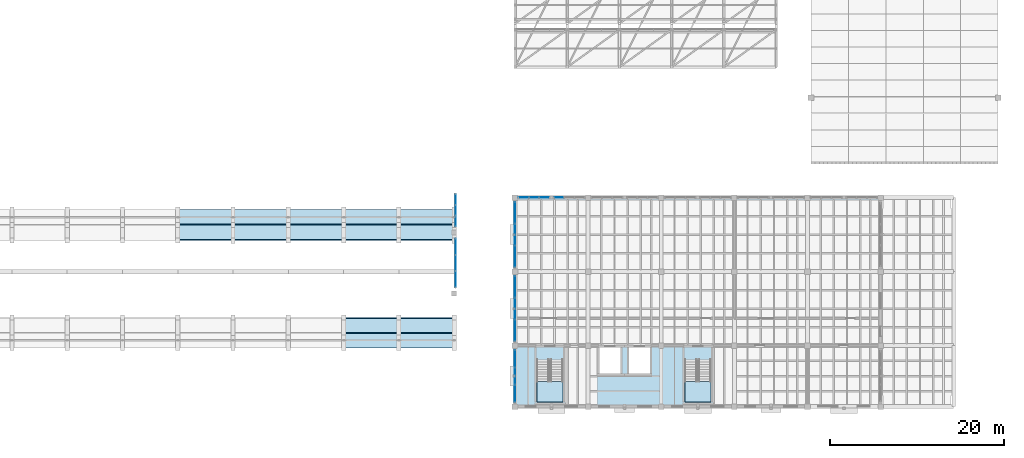
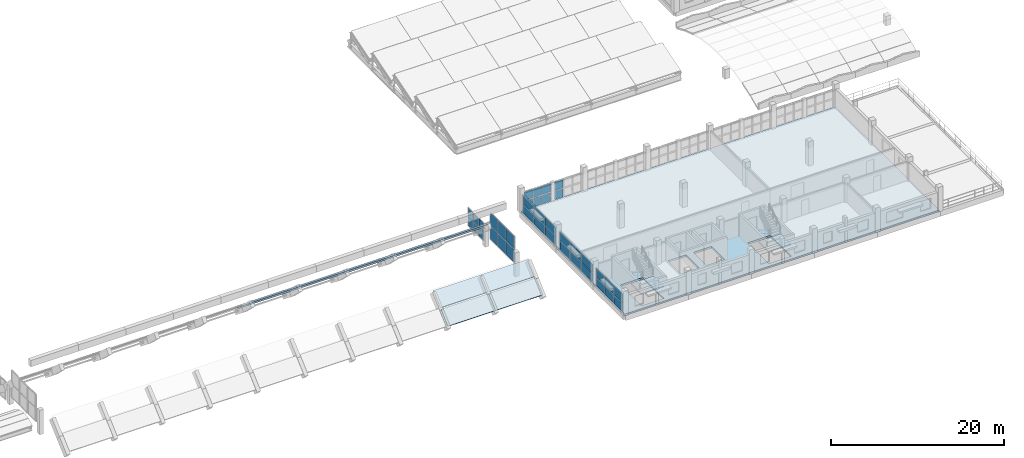
# One storey, part 25 of 48: 38 plates, 17 slabs, 9 elements without a shape of their own.
"""IFC4 building model written with IfcOpenShell, lengths in metres."""

from ifc_helpers import new_model, si_unit, direction, frame, origin, origin_2d, place, context, subcontext, project, spatial, polyline, rectangle, outline, extrude, material, layer, layer_set, type_object, element, aggregate, save


model = new_model("IFC4")

# Units and contexts
model_context = context("Model", 3, precision=1e-05, world=origin(), true_north=direction((0.0, 1.0)))
body_context = subcontext(model_context, "Body", "Model", "MODEL_VIEW")
ifc_project = project(units=[si_unit("LENGTHUNIT", "METRE"), si_unit("AREAUNIT", "SQUARE_METRE"), si_unit("VOLUMEUNIT", "CUBIC_METRE"), si_unit("PLANEANGLEUNIT", "RADIAN"), si_unit("MASSUNIT", "GRAM", prefix="KILO")], contexts=[model_context])

# Site, building, storey
site_placement = place(None, origin())
site = spatial("IfcSite", under=ifc_project, at=site_placement, CompositionType="ELEMENT")
building_placement = place(site_placement, origin())
building = spatial("IfcBuilding", under=site, at=building_placement, Name="Trellovar Central Fire Station", CompositionType="ELEMENT")
storey_placement = place(building_placement, frame((0.0, 0.0, 9.300048828125)))
storey = spatial("IfcBuildingStorey", under=building, at=storey_placement, Name="L03", CompositionType="ELEMENT", Elevation=9.300048828125)

# Curtain wall, plate
ifc_material_1 = material(Name="Thermally broken bronze anodized aluminum", Category="aluminium")
ifc_layer_1 = layer(ifc_material_1, 0.159912109375)
ifc_layer_set_1 = layer_set([ifc_layer_1], Name="Thermally broken bronze anodized aluminum")
curtain_wall_type_1 = type_object("IfcCurtainWallType", Name="CW-04", PredefinedType="NOTDEFINED", material=ifc_layer_set_1)
curtain_wall_1_placement = place(storey_placement, origin())
curtain_wall_1 = element("IfcCurtainWall", 1, at=curtain_wall_1_placement, inside=storey, type_object=curtain_wall_type_1, Name="V1 E ski-jump gable clerestory 2", PredefinedType="NOTDEFINED")
ifc_material_2 = material(Name="Double low-E solar control insulated glazing", Category="glass")
ifc_layer_2 = layer(ifc_material_2, 0.031982421875)
ifc_layer_set_2 = layer_set([ifc_layer_2], Name="Double low-E solar control insulated glazing")
plate_type_1 = type_object("IfcPlateType", Name="CWP-GL1", PredefinedType="CURTAIN_PANEL", material=ifc_layer_set_2)
plate_1_placement = place(storey_placement, frame((98.679931640625, 27.36669921875, 3.23974609375), z_axis=(0.0, 0.0, 1.0), x_axis=(0.0, 1.0, 0.0)))
plate_1 = element("IfcPlate", 2, at=plate_1_placement, type_object=plate_type_1, Name="CW3-L03-0017 panel 3-2", PredefinedType="CURTAIN_PANEL", context=body_context, shape_type="SweptSolid", body=[
    extrude(rectangle(XDim=1.78662109375, YDim=0.031982421875, at=origin_2d()), origin(), (0.0, 0.0, 1.0), 1.820068359375),
])

# Curtain wall, plates
ifc_material_3 = material(Name="Thermally broken bronze anodized aluminum", Category="aluminium")
ifc_layer_3 = layer(ifc_material_3, 0.159912109375)
ifc_layer_set_3 = layer_set([ifc_layer_3], Name="Thermally broken bronze anodized aluminum")
curtain_wall_type_2 = type_object("IfcCurtainWallType", Name="CW-08", PredefinedType="NOTDEFINED", material=ifc_layer_set_3)
curtain_wall_2_placement = place(storey_placement, origin())
curtain_wall_2 = element("IfcCurtainWall", 3, at=curtain_wall_2_placement, inside=storey, type_object=curtain_wall_type_2, Name="V1 E ski-jump gable clerestory 3", PredefinedType="NOTDEFINED")
plate_2_placement = place(storey_placement, frame((98.679931640625, 31.550048828125, 1.4150390625), z_axis=(0.0, 0.0, 1.0), x_axis=(0.0, 1.0, 0.0)))
plate_2 = element("IfcPlate", 4, at=plate_2_placement, type_object=plate_type_1, Name="CW3-L03-0018 panel 2-2", PredefinedType="CURTAIN_PANEL", context=body_context, shape_type="SweptSolid", body=[
    extrude(rectangle(XDim=1.1533203125, YDim=0.031982421875, at=origin_2d()), origin(), (0.0, 0.0, 1.0), 1.195068359375),
])
plate_3_placement = place(storey_placement, frame((98.679931640625, 32.783203125, 0.14013671875), z_axis=(0.0, 0.0, 1.0), x_axis=(0.0, 1.0, 0.0)))
plate_3 = element("IfcPlate", 5, at=plate_3_placement, type_object=plate_type_1, Name="CW3-L03-0018 panel 3-1", PredefinedType="CURTAIN_PANEL", context=body_context, shape_type="SweptSolid", body=[
    extrude(rectangle(XDim=1.1533203125, YDim=0.031982421875, at=origin_2d()), origin(), (0.0, 0.0, 1.0), 1.195068359375),
])

# Curtain wall, plate
ifc_material_4 = material(Name="Thermally broken bronze anodized aluminum", Category="aluminium")
ifc_layer_4 = layer(ifc_material_4, 0.159912109375)
ifc_layer_set_4 = layer_set([ifc_layer_4], Name="Thermally broken bronze anodized aluminum")
curtain_wall_type_3 = type_object("IfcCurtainWallType", Name="CW-10", PredefinedType="NOTDEFINED", material=ifc_layer_set_4)
curtain_wall_3_placement = place(storey_placement, origin())
curtain_wall_3 = element("IfcCurtainWall", 6, at=curtain_wall_3_placement, inside=storey, type_object=curtain_wall_type_3, Name="L03 curtain wall CW-10", PredefinedType="NOTDEFINED")
plate_4_placement = place(storey_placement, frame((106.49169921875, 33.0, 1.31494140625), z_axis=(0.0, 0.0, 1.0), x_axis=(-1.0, 0.0, 0.0)))
plate_4 = element("IfcPlate", 7, at=plate_4_placement, type_object=plate_type_1, Name="CW3-L03-0077 panel 3-2", PredefinedType="CURTAIN_PANEL", context=body_context, shape_type="SweptSolid", body=[
    extrude(rectangle(XDim=1.103271484375, YDim=0.031982421875, at=origin_2d()), origin(), (0.0, 0.0, 1.0), 1.195068359375),
])

ifc_material_5 = material(Name="Thermally broken bronze anodized aluminum", Category="aluminium")
ifc_layer_5 = layer(ifc_material_5, 0.159912109375)
ifc_layer_set_5 = layer_set([ifc_layer_5], Name="Thermally broken bronze anodized aluminum")
curtain_wall_type_4 = type_object("IfcCurtainWallType", Name="CW-12", PredefinedType="NOTDEFINED", material=ifc_layer_set_5)
curtain_wall_4_placement = place(storey_placement, origin())
curtain_wall_4 = element("IfcCurtainWall", 8, at=curtain_wall_4_placement, inside=storey, type_object=curtain_wall_type_4, Name="V5 L03 west courtyard curtain wall", PredefinedType="NOTDEFINED")
plate_5_placement = place(storey_placement, frame((105.5, 12.5, 1.31494140625), z_axis=(0.0, 0.0, 1.0), x_axis=(0.0, -1.0, 0.0)))
plate_5 = element("IfcPlate", 9, at=plate_5_placement, type_object=plate_type_1, Name="CW3-L03-0086 panel 2-2", PredefinedType="CURTAIN_PANEL", context=body_context, shape_type="SweptSolid", body=[
    extrude(rectangle(XDim=1.919921875, YDim=0.031982421875, at=origin_2d()), origin(), (0.0, 0.0, 1.0), 1.195068359375),
])

curtain_wall_5_placement = place(storey_placement, origin())
curtain_wall_5 = element("IfcCurtainWall", 10, at=curtain_wall_5_placement, inside=storey, type_object=curtain_wall_type_4, Name="V5 L03 west courtyard curtain wall", PredefinedType="NOTDEFINED")
plate_6_placement = place(storey_placement, frame((105.5, 22.75, 1.31494140625), z_axis=(0.0, 0.0, 1.0), x_axis=(0.0, -1.0, 0.0)))
plate_6 = element("IfcPlate", 11, at=plate_6_placement, type_object=plate_type_1, Name="CW3-L03-0087 panel 1-2", PredefinedType="CURTAIN_PANEL", context=body_context, shape_type="SweptSolid", body=[
    extrude(rectangle(XDim=2.419921875, YDim=0.031982421875, at=origin_2d()), origin(), (0.0, 0.0, 1.0), 1.195068359375),
])

# Plate
ifc_material_6 = material(Name="Double low-E solar control insulated glazing", Category="glass")
ifc_layer_6 = layer(ifc_material_6, 0.035888671875)
ifc_layer_set_6 = layer_set([ifc_layer_6], Name="Double low-E solar control insulated glazing")
plate_type_2 = type_object("IfcPlateType", Name="CWP-GL2", PredefinedType="CURTAIN_PANEL", material=ifc_layer_set_6)
plate_7_placement = place(storey_placement, frame((98.679931640625, 23.63330078125, 1.33984375), z_axis=(0.0, 0.0, 1.0), x_axis=(0.0, 1.0, 0.0)))
plate_7 = element("IfcPlate", 12, at=plate_7_placement, type_object=plate_type_2, Name="CW3-L03-0017 panel 1-1", PredefinedType="CURTAIN_PANEL", context=body_context, shape_type="SweptSolid", body=[
    extrude(rectangle(XDim=1.78662109375, YDim=0.035888671875, at=origin_2d()), origin(), (0.0, 0.0, 1.0), 1.820068359375),
])

plate_8_placement = place(storey_placement, frame((98.679931640625, 32.783203125, 1.4150390625), z_axis=(0.0, 0.0, 1.0), x_axis=(0.0, 1.0, 0.0)))
plate_8 = element("IfcPlate", 13, at=plate_8_placement, type_object=plate_type_2, Name="CW3-L03-0018 panel 3-2", PredefinedType="CURTAIN_PANEL", context=body_context, shape_type="SweptSolid", body=[
    extrude(rectangle(XDim=1.1533203125, YDim=0.035888671875, at=origin_2d()), origin(), (0.0, 0.0, 1.0), 1.195068359375),
])

plate_9_placement = place(storey_placement, frame((105.5, 10.5, 1.31494140625), z_axis=(0.0, 0.0, 1.0), x_axis=(0.0, -1.0, 0.0)))
plate_9 = element("IfcPlate", 14, at=plate_9_placement, type_object=plate_type_2, Name="CW3-L03-0086 panel 3-2", PredefinedType="CURTAIN_PANEL", context=body_context, shape_type="SweptSolid", body=[
    extrude(rectangle(XDim=1.919921875, YDim=0.035888671875, at=origin_2d()), origin(), (0.0, 0.0, 1.0), 1.195068359375),
])

plate_10_placement = place(storey_placement, frame((105.5, 20.25, 1.31494140625), z_axis=(0.0, 0.0, 1.0), x_axis=(0.0, -1.0, 0.0)))
plate_10 = element("IfcPlate", 15, at=plate_10_placement, type_object=plate_type_2, Name="CW3-L03-0087 panel 2-2", PredefinedType="CURTAIN_PANEL", context=body_context, shape_type="SweptSolid", body=[
    extrude(rectangle(XDim=2.419921875, YDim=0.035888671875, at=origin_2d()), origin(), (0.0, 0.0, 1.0), 1.195068359375),
])

# Curtain wall, plate
curtain_wall_6_placement = place(storey_placement, origin())
curtain_wall_6 = element("IfcCurtainWall", 16, at=curtain_wall_6_placement, inside=storey, type_object=curtain_wall_type_4, Name="V5 L03 west courtyard curtain wall", PredefinedType="NOTDEFINED")
plate_11_placement = place(storey_placement, frame((105.5, 31.25, 1.31494140625), z_axis=(0.0, 0.0, 1.0), x_axis=(0.0, -1.0, 0.0)))
plate_11 = element("IfcPlate", 17, at=plate_11_placement, type_object=plate_type_2, Name="CW3-L03-0088 panel 1-2", PredefinedType="CURTAIN_PANEL", context=body_context, shape_type="SweptSolid", body=[
    extrude(rectangle(XDim=2.419921875, YDim=0.035888671875, at=origin_2d()), origin(), (0.0, 0.0, 1.0), 1.195068359375),
])

# Plate
ifc_material_7 = material(Name="Double low-E solar control insulated glazing", Category="glass")
ifc_layer_7 = layer(ifc_material_7, 0.033935546875)
ifc_layer_set_7 = layer_set([ifc_layer_7], Name="Double low-E solar control insulated glazing")
plate_type_3 = type_object("IfcPlateType", Name="CWP-GL3", PredefinedType="CURTAIN_PANEL", material=ifc_layer_set_7)
plate_12_placement = place(storey_placement, frame((98.679931640625, 23.63330078125, 3.23974609375), z_axis=(0.0, 0.0, 1.0), x_axis=(0.0, 1.0, 0.0)))
plate_12 = element("IfcPlate", 18, at=plate_12_placement, type_object=plate_type_3, Name="CW3-L03-0017 panel 1-2", PredefinedType="CURTAIN_PANEL", context=body_context, shape_type="SweptSolid", body=[
    extrude(rectangle(XDim=1.78662109375, YDim=0.033935546875, at=origin_2d()), origin(), (0.0, 0.0, 1.0), 1.820068359375),
])

plate_13_placement = place(storey_placement, frame((98.679931640625, 25.5, 1.33984375), z_axis=(0.0, 0.0, 1.0), x_axis=(0.0, 1.0, 0.0)))
plate_13 = element("IfcPlate", 19, at=plate_13_placement, type_object=plate_type_3, Name="CW3-L03-0017 panel 2-1", PredefinedType="CURTAIN_PANEL", context=body_context, shape_type="SweptSolid", body=[
    extrude(rectangle(XDim=1.78662109375, YDim=0.033935546875, at=origin_2d()), origin(), (0.0, 0.0, 1.0), 1.820068359375),
])

plate_14_placement = place(storey_placement, frame((98.679931640625, 30.316650390625, 0.14013671875), z_axis=(0.0, 0.0, 1.0), x_axis=(0.0, 1.0, 0.0)))
plate_14 = element("IfcPlate", 20, at=plate_14_placement, type_object=plate_type_3, Name="CW3-L03-0018 panel 1-1", PredefinedType="CURTAIN_PANEL", context=body_context, shape_type="SweptSolid", body=[
    extrude(rectangle(XDim=1.1533203125, YDim=0.033935546875, at=origin_2d()), origin(), (0.0, 0.0, 1.0), 1.195068359375),
])

plate_15_placement = place(storey_placement, frame((108.8583984375, 33.0, 1.31494140625), z_axis=(0.0, 0.0, 1.0), x_axis=(-1.0, 0.0, 0.0)))
plate_15 = element("IfcPlate", 21, at=plate_15_placement, type_object=plate_type_3, Name="CW3-L03-0077 panel 1-2", PredefinedType="CURTAIN_PANEL", context=body_context, shape_type="SweptSolid", body=[
    extrude(rectangle(XDim=1.103271484375, YDim=0.033935546875, at=origin_2d()), origin(), (0.0, 0.0, 1.0), 1.195068359375),
])

plate_16_placement = place(storey_placement, frame((105.5, 17.75, 1.31494140625), z_axis=(0.0, 0.0, 1.0), x_axis=(0.0, -1.0, 0.0)))
plate_16 = element("IfcPlate", 22, at=plate_16_placement, type_object=plate_type_3, Name="CW3-L03-0087 panel 3-2", PredefinedType="CURTAIN_PANEL", context=body_context, shape_type="SweptSolid", body=[
    extrude(rectangle(XDim=2.419921875, YDim=0.033935546875, at=origin_2d()), origin(), (0.0, 0.0, 1.0), 1.195068359375),
])

plate_17_placement = place(storey_placement, frame((105.5, 28.75, 1.31494140625), z_axis=(0.0, 0.0, 1.0), x_axis=(0.0, -1.0, 0.0)))
plate_17 = element("IfcPlate", 23, at=plate_17_placement, type_object=plate_type_3, Name="CW3-L03-0088 panel 2-2", PredefinedType="CURTAIN_PANEL", context=body_context, shape_type="SweptSolid", body=[
    extrude(rectangle(XDim=2.419921875, YDim=0.033935546875, at=origin_2d()), origin(), (0.0, 0.0, 1.0), 1.195068359375),
])

ifc_material_8 = material(Name="Double low-E solar control insulated glazing", Category="glass")
ifc_layer_8 = layer(ifc_material_8, 0.030029296875)
ifc_layer_set_8 = layer_set([ifc_layer_8], Name="Double low-E solar control insulated glazing")
plate_type_4 = type_object("IfcPlateType", Name="CWP-GL4", PredefinedType="CURTAIN_PANEL", material=ifc_layer_set_8)
plate_18_placement = place(storey_placement, frame((98.679931640625, 25.5, 3.23974609375), z_axis=(0.0, 0.0, 1.0), x_axis=(0.0, 1.0, 0.0)))
plate_18 = element("IfcPlate", 24, at=plate_18_placement, type_object=plate_type_4, Name="CW3-L03-0017 panel 2-2", PredefinedType="CURTAIN_PANEL", context=body_context, shape_type="SweptSolid", body=[
    extrude(rectangle(XDim=1.78662109375, YDim=0.030029296875, at=origin_2d()), origin(), (0.0, 0.0, 1.0), 1.820068359375),
])

plate_19_placement = place(storey_placement, frame((98.679931640625, 27.36669921875, 1.33984375), z_axis=(0.0, 0.0, 1.0), x_axis=(0.0, 1.0, 0.0)))
plate_19 = element("IfcPlate", 25, at=plate_19_placement, type_object=plate_type_4, Name="CW3-L03-0017 panel 3-1", PredefinedType="CURTAIN_PANEL", context=body_context, shape_type="SweptSolid", body=[
    extrude(rectangle(XDim=1.78662109375, YDim=0.030029296875, at=origin_2d()), origin(), (0.0, 0.0, 1.0), 1.820068359375),
])

aggregate(curtain_wall_1, [plate_7, plate_12, plate_13, plate_18, plate_19, plate_1])

plate_20_placement = place(storey_placement, frame((98.679931640625, 30.316650390625, 1.4150390625), z_axis=(0.0, 0.0, 1.0), x_axis=(0.0, 1.0, 0.0)))
plate_20 = element("IfcPlate", 26, at=plate_20_placement, type_object=plate_type_4, Name="CW3-L03-0018 panel 1-2", PredefinedType="CURTAIN_PANEL", context=body_context, shape_type="SweptSolid", body=[
    extrude(rectangle(XDim=1.1533203125, YDim=0.030029296875, at=origin_2d()), origin(), (0.0, 0.0, 1.0), 1.195068359375),
])

plate_21_placement = place(storey_placement, frame((98.679931640625, 31.550048828125, 0.14013671875), z_axis=(0.0, 0.0, 1.0), x_axis=(0.0, 1.0, 0.0)))
plate_21 = element("IfcPlate", 27, at=plate_21_placement, type_object=plate_type_4, Name="CW3-L03-0018 panel 2-1", PredefinedType="CURTAIN_PANEL", context=body_context, shape_type="SweptSolid", body=[
    extrude(rectangle(XDim=1.1533203125, YDim=0.030029296875, at=origin_2d()), origin(), (0.0, 0.0, 1.0), 1.195068359375),
])

aggregate(curtain_wall_2, [plate_14, plate_20, plate_21, plate_2, plate_3, plate_8])

# Curtain wall, plate
ifc_material_9 = material(Name="Thermally broken bronze anodized aluminum", Category="aluminium")
ifc_layer_9 = layer(ifc_material_9, 0.159912109375)
ifc_layer_set_9 = layer_set([ifc_layer_9], Name="Thermally broken bronze anodized aluminum")
curtain_wall_type_5 = type_object("IfcCurtainWallType", Name="CW-09", PredefinedType="NOTDEFINED", material=ifc_layer_set_9)
curtain_wall_7_placement = place(storey_placement, origin())
curtain_wall_7 = element("IfcCurtainWall", 28, at=curtain_wall_7_placement, inside=storey, type_object=curtain_wall_type_5, Name="L03 curtain wall CW-9", PredefinedType="NOTDEFINED")
plate_22_placement = place(storey_placement, frame((110.541748046875, 33.0, 1.31494140625), z_axis=(0.0, 0.0, 1.0), x_axis=(-1.0, 0.0, 0.0)))
plate_22 = element("IfcPlate", 29, at=plate_22_placement, type_object=plate_type_4, Name="CW3-L03-0076 panel 3-2", PredefinedType="CURTAIN_PANEL", context=body_context, shape_type="SweptSolid", body=[
    extrude(rectangle(XDim=1.103271484375, YDim=0.030029296875, at=origin_2d()), origin(), (0.0, 0.0, 1.0), 1.195068359375),
])

# Plate
plate_23_placement = place(storey_placement, frame((107.675048828125, 33.0, 1.31494140625), z_axis=(0.0, 0.0, 1.0), x_axis=(-1.0, 0.0, 0.0)))
plate_23 = element("IfcPlate", 30, at=plate_23_placement, type_object=plate_type_4, Name="CW3-L03-0077 panel 2-2", PredefinedType="CURTAIN_PANEL", context=body_context, shape_type="SweptSolid", body=[
    extrude(rectangle(XDim=1.103515625, YDim=0.030029296875, at=origin_2d()), origin(), (0.0, 0.0, 1.0), 1.195068359375),
])

plate_24_placement = place(storey_placement, frame((105.5, 14.5, 1.31494140625), z_axis=(0.0, 0.0, 1.0), x_axis=(0.0, -1.0, 0.0)))
plate_24 = element("IfcPlate", 31, at=plate_24_placement, type_object=plate_type_4, Name="CW3-L03-0086 panel 1-2", PredefinedType="CURTAIN_PANEL", context=body_context, shape_type="SweptSolid", body=[
    extrude(rectangle(XDim=1.919921875, YDim=0.030029296875, at=origin_2d()), origin(), (0.0, 0.0, 1.0), 1.195068359375),
])

plate_25_placement = place(storey_placement, frame((105.5, 26.25, 1.31494140625), z_axis=(0.0, 0.0, 1.0), x_axis=(0.0, -1.0, 0.0)))
plate_25 = element("IfcPlate", 32, at=plate_25_placement, type_object=plate_type_4, Name="CW3-L03-0088 panel 3-2", PredefinedType="CURTAIN_PANEL", context=body_context, shape_type="SweptSolid", body=[
    extrude(rectangle(XDim=2.419921875, YDim=0.030029296875, at=origin_2d()), origin(), (0.0, 0.0, 1.0), 1.195068359375),
])

ifc_material_10 = material(Name="Glazed ceramic trencadis and terracotta panel", Category="masonry")
ifc_layer_10 = layer(ifc_material_10, 0.048095703125)
ifc_layer_set_10 = layer_set([ifc_layer_10], Name="Glazed ceramic trencadis and terracotta panel")
plate_type_5 = type_object("IfcPlateType", Name="CWP-SP1", PredefinedType="CURTAIN_PANEL", material=ifc_layer_set_10)
plate_26_placement = place(storey_placement, frame((110.541748046875, 33.0, 0.0400390625), z_axis=(0.0, 0.0, 1.0), x_axis=(-1.0, 0.0, 0.0)))
plate_26 = element("IfcPlate", 33, at=plate_26_placement, type_object=plate_type_5, Name="CW3-L03-0076 panel 3-1", PredefinedType="CURTAIN_PANEL", context=body_context, shape_type="SweptSolid", body=[
    extrude(rectangle(XDim=1.103271484375, YDim=0.048095703125, at=origin_2d()), origin(), (0.0, 0.0, 1.0), 1.195068359375),
])

aggregate(curtain_wall_7, [plate_26, plate_22])

plate_27_placement = place(storey_placement, frame((107.675048828125, 33.0, 0.0400390625), z_axis=(0.0, 0.0, 1.0), x_axis=(-1.0, 0.0, 0.0)))
plate_27 = element("IfcPlate", 34, at=plate_27_placement, type_object=plate_type_5, Name="CW3-L03-0077 panel 2-1", PredefinedType="CURTAIN_PANEL", context=body_context, shape_type="SweptSolid", body=[
    extrude(rectangle(XDim=1.103515625, YDim=0.048095703125, at=origin_2d()), origin(), (0.0, 0.0, 1.0), 1.195068359375),
])

plate_28_placement = place(storey_placement, frame((105.5, 14.5, 0.0400390625), z_axis=(0.0, 0.0, 1.0), x_axis=(0.0, -1.0, 0.0)))
plate_28 = element("IfcPlate", 35, at=plate_28_placement, type_object=plate_type_5, Name="CW3-L03-0086 panel 1-1", PredefinedType="CURTAIN_PANEL", context=body_context, shape_type="SweptSolid", body=[
    extrude(rectangle(XDim=1.919921875, YDim=0.048095703125, at=origin_2d()), origin(), (0.0, 0.0, 1.0), 1.195068359375),
])

plate_29_placement = place(storey_placement, frame((105.5, 10.5, 0.0400390625), z_axis=(0.0, 0.0, 1.0), x_axis=(0.0, -1.0, 0.0)))
plate_29 = element("IfcPlate", 36, at=plate_29_placement, type_object=plate_type_5, Name="CW3-L03-0086 panel 3-1", PredefinedType="CURTAIN_PANEL", context=body_context, shape_type="SweptSolid", body=[
    extrude(rectangle(XDim=1.919921875, YDim=0.048095703125, at=origin_2d()), origin(), (0.0, 0.0, 1.0), 1.195068359375),
])

plate_30_placement = place(storey_placement, frame((105.5, 20.25, 0.0400390625), z_axis=(0.0, 0.0, 1.0), x_axis=(0.0, -1.0, 0.0)))
plate_30 = element("IfcPlate", 37, at=plate_30_placement, type_object=plate_type_5, Name="CW3-L03-0087 panel 2-1", PredefinedType="CURTAIN_PANEL", context=body_context, shape_type="SweptSolid", body=[
    extrude(rectangle(XDim=2.419921875, YDim=0.048095703125, at=origin_2d()), origin(), (0.0, 0.0, 1.0), 1.195068359375),
])

plate_31_placement = place(storey_placement, frame((105.5, 31.25, 0.0400390625), z_axis=(0.0, 0.0, 1.0), x_axis=(0.0, -1.0, 0.0)))
plate_31 = element("IfcPlate", 38, at=plate_31_placement, type_object=plate_type_5, Name="CW3-L03-0088 panel 1-1", PredefinedType="CURTAIN_PANEL", context=body_context, shape_type="SweptSolid", body=[
    extrude(rectangle(XDim=2.419921875, YDim=0.048095703125, at=origin_2d()), origin(), (0.0, 0.0, 1.0), 1.195068359375),
])

plate_32_placement = place(storey_placement, frame((105.5, 26.25, 0.0400390625), z_axis=(0.0, 0.0, 1.0), x_axis=(0.0, -1.0, 0.0)))
plate_32 = element("IfcPlate", 39, at=plate_32_placement, type_object=plate_type_5, Name="CW3-L03-0088 panel 3-1", PredefinedType="CURTAIN_PANEL", context=body_context, shape_type="SweptSolid", body=[
    extrude(rectangle(XDim=2.419921875, YDim=0.048095703125, at=origin_2d()), origin(), (0.0, 0.0, 1.0), 1.195068359375),
])

ifc_material_11 = material(Name="Glazed ceramic trencadis and terracotta panel", Category="masonry")
ifc_layer_11 = layer(ifc_material_11, 0.044921875)
ifc_layer_set_11 = layer_set([ifc_layer_11], Name="Glazed ceramic trencadis and terracotta panel")
plate_type_6 = type_object("IfcPlateType", Name="CWP-SP2", PredefinedType="CURTAIN_PANEL", material=ifc_layer_set_11)
plate_33_placement = place(storey_placement, frame((108.8583984375, 33.0, 0.0400390625), z_axis=(0.0, 0.0, 1.0), x_axis=(-1.0, 0.0, 0.0)))
plate_33 = element("IfcPlate", 40, at=plate_33_placement, type_object=plate_type_6, Name="CW3-L03-0077 panel 1-1", PredefinedType="CURTAIN_PANEL", context=body_context, shape_type="SweptSolid", body=[
    extrude(rectangle(XDim=1.103271484375, YDim=0.044921875, at=origin_2d()), origin(), (0.0, 0.0, 1.0), 1.195068359375),
])

plate_34_placement = place(storey_placement, frame((106.49169921875, 33.0, 0.0400390625), z_axis=(0.0, 0.0, 1.0), x_axis=(-1.0, 0.0, 0.0)))
plate_34 = element("IfcPlate", 41, at=plate_34_placement, type_object=plate_type_6, Name="CW3-L03-0077 panel 3-1", PredefinedType="CURTAIN_PANEL", context=body_context, shape_type="SweptSolid", body=[
    extrude(rectangle(XDim=1.103271484375, YDim=0.044921875, at=origin_2d()), origin(), (0.0, 0.0, 1.0), 1.195068359375),
])

aggregate(curtain_wall_3, [plate_33, plate_15, plate_27, plate_23, plate_34, plate_4])

plate_35_placement = place(storey_placement, frame((105.5, 12.5, 0.0400390625), z_axis=(0.0, 0.0, 1.0), x_axis=(0.0, -1.0, 0.0)))
plate_35 = element("IfcPlate", 42, at=plate_35_placement, type_object=plate_type_6, Name="CW3-L03-0086 panel 2-1", PredefinedType="CURTAIN_PANEL", context=body_context, shape_type="SweptSolid", body=[
    extrude(rectangle(XDim=1.919921875, YDim=0.044921875, at=origin_2d()), origin(), (0.0, 0.0, 1.0), 1.195068359375),
])

aggregate(curtain_wall_4, [plate_28, plate_24, plate_35, plate_5, plate_29, plate_9])

plate_36_placement = place(storey_placement, frame((105.5, 22.75, 0.0400390625), z_axis=(0.0, 0.0, 1.0), x_axis=(0.0, -1.0, 0.0)))
plate_36 = element("IfcPlate", 43, at=plate_36_placement, type_object=plate_type_6, Name="CW3-L03-0087 panel 1-1", PredefinedType="CURTAIN_PANEL", context=body_context, shape_type="SweptSolid", body=[
    extrude(rectangle(XDim=2.419921875, YDim=0.044921875, at=origin_2d()), origin(), (0.0, 0.0, 1.0), 1.195068359375),
])

plate_37_placement = place(storey_placement, frame((105.5, 17.75, 0.0400390625), z_axis=(0.0, 0.0, 1.0), x_axis=(0.0, -1.0, 0.0)))
plate_37 = element("IfcPlate", 44, at=plate_37_placement, type_object=plate_type_6, Name="CW3-L03-0087 panel 3-1", PredefinedType="CURTAIN_PANEL", context=body_context, shape_type="SweptSolid", body=[
    extrude(rectangle(XDim=2.419921875, YDim=0.044921875, at=origin_2d()), origin(), (0.0, 0.0, 1.0), 1.195068359375),
])

aggregate(curtain_wall_5, [plate_36, plate_6, plate_30, plate_10, plate_37, plate_16])

plate_38_placement = place(storey_placement, frame((105.5, 28.75, 0.0400390625), z_axis=(0.0, 0.0, 1.0), x_axis=(0.0, -1.0, 0.0)))
plate_38 = element("IfcPlate", 45, at=plate_38_placement, type_object=plate_type_6, Name="CW3-L03-0088 panel 2-1", PredefinedType="CURTAIN_PANEL", context=body_context, shape_type="SweptSolid", body=[
    extrude(rectangle(XDim=2.419921875, YDim=0.044921875, at=origin_2d()), origin(), (0.0, 0.0, 1.0), 1.195068359375),
])

aggregate(curtain_wall_6, [plate_31, plate_11, plate_38, plate_17, plate_32, plate_25])

# Slab
ifc_material_12 = material(Name="Concrete C40/50", Category="concrete")
ifc_layer_12 = layer(ifc_material_12, 0.260009765625)
ifc_layer_set_12 = layer_set([ifc_layer_12], Name="Concrete C40/50")
slab_type_1 = type_object("IfcSlabType", Name="SLB-FL260", PredefinedType="FLOOR", material=ifc_layer_set_12)
slab_1_placement = place(storey_placement, frame((0.0, 0.0, -0.260009765625)))
element("IfcSlab", 46, at=slab_1_placement, inside=storey, type_object=slab_type_1, Name="V5 L03 structural floor slab", PredefinedType="FLOOR", context=body_context, shape_type="SweptSolid", body=[
    extrude(outline(polyline([(105.5, 9.0), (147.5, 9.0), (147.5, 33.0), (105.5, 33.0), (105.5, 9.0)]), holes=[polyline([(108.0, 14.340087890625), (108.0, 9.5), (111.0, 9.5), (111.0, 14.340087890625), (108.0, 14.340087890625)]), polyline([(125.0, 14.340087890625), (125.0, 9.5), (128.0, 9.5), (128.0, 14.340087890625), (125.0, 14.340087890625)]), polyline([(115.199951171875, 12.800048828125), (117.60009765625, 12.800048828125), (117.60009765625, 15.800048828125), (115.199951171875, 15.800048828125), (115.199951171875, 12.800048828125)]), polyline([(118.60009765625, 12.800048828125), (121.0, 12.800048828125), (121.0, 15.800048828125), (118.60009765625, 15.800048828125), (118.60009765625, 12.800048828125)])]), origin(), (0.0, 0.0, 1.0), 0.260009765625),
])

# Stair, slab
ifc_material_13 = material(Name="Concrete C40/50", Category="concrete")
stair_type = type_object("IfcStairType", Name="ST-R1725", PredefinedType="HALF_TURN_STAIR", material=ifc_material_13)
stair_1_placement = place(storey_placement, origin())
stair_1 = element("IfcStair", 47, at=stair_1_placement, inside=storey, type_object=stair_type, Name="L03 Protected exit stair ST-01", PredefinedType="HALF_TURN_STAIR")
ifc_material_14 = material(Name="Concrete C40/50", Category="concrete")
ifc_layer_13 = layer(ifc_material_14, 0.199951171875)
ifc_layer_set_13 = layer_set([ifc_layer_13], Name="Concrete C40/50")
slab_type_2 = type_object("IfcSlabType", Name="SLB-LND", PredefinedType="LANDING", material=ifc_layer_set_13)
slab_2_placement = place(storey_placement, frame((0.0, 0.0, 1.52490234375)))
slab_2 = element("IfcSlab", 48, at=slab_2_placement, type_object=slab_type_2, Name="ST-01 landing 1", PredefinedType="LANDING", context=body_context, shape_type="SweptSolid", body=[
    extrude(outline(polyline([(108.0, 11.8798828125), (108.0, 9.5), (111.0, 9.5), (111.0, 11.8798828125), (108.0, 11.8798828125)])), origin(), (0.0, 0.0, 1.0), 0.199951171875),
])
aggregate(stair_1, [slab_2])

stair_2_placement = place(storey_placement, origin())
stair_2 = element("IfcStair", 49, at=stair_2_placement, inside=storey, type_object=stair_type, Name="L03 Protected exit stair ST-02", PredefinedType="HALF_TURN_STAIR")
slab_3_placement = place(storey_placement, frame((0.0, 0.0, 1.52490234375)))
slab_3 = element("IfcSlab", 50, at=slab_3_placement, type_object=slab_type_2, Name="ST-02 landing 1", PredefinedType="LANDING", context=body_context, shape_type="SweptSolid", body=[
    extrude(outline(polyline([(125.0, 11.8798828125), (125.0, 9.5), (128.0, 9.5), (128.0, 11.8798828125), (125.0, 11.8798828125)])), origin(), (0.0, 0.0, 1.0), 0.199951171875),
])
aggregate(stair_2, [slab_3])

# Slabs
ifc_material_15 = material(Name="Concrete C40/50", Category="concrete")
ifc_layer_14 = layer(ifc_material_15, 0.179931640625)
ifc_layer_set_14 = layer_set([ifc_layer_14], Name="Concrete C40/50")
slab_type_3 = type_object("IfcSlabType", Name="SLB-VLT180", PredefinedType="ROOF", material=ifc_layer_set_14)
slab_4_placement = place(storey_placement, frame((66.75, 28.194091796875, 3.78369140625), z_axis=(0.0, 0.696336602897, 0.717715358249), x_axis=(1.0, 0.0, 0.0)))
element("IfcSlab", 51, at=slab_4_placement, inside=storey, type_object=slab_type_3, Name="Catalan ski-jump vault strip V1-06-09", PredefinedType="ROOF", context=body_context, shape_type="SweptSolid", body=[
    extrude(outline(polyline([(0.0, 0.0), (6.35009765625, 0.0), (6.35009765625, 2.31821479121556), (0.0, 2.31821479121556), (0.0, 0.0)])), origin(), (0.0, 0.0, -1.0), 0.179931640625),
])
slab_5_placement = place(storey_placement, frame((66.75, 29.97412109375, 2.07666015625), z_axis=(0.0, 0.622818367215, 0.782366462382), x_axis=(1.0, 0.0, 0.0)))
element("IfcSlab", 52, at=slab_5_placement, inside=storey, type_object=slab_type_3, Name="Catalan ski-jump vault strip V1-06-10", PredefinedType="ROOF", context=body_context, shape_type="SweptSolid", body=[
    extrude(outline(polyline([(0.0, 0.0), (6.35009765625, 0.0), (6.35009765625, 2.143811339565686), (0.0, 2.143811339565686), (0.0, 0.0)])), origin(), (0.0, 0.0, -1.0), 0.179931640625),
])
slab_6_placement = place(storey_placement, frame((73.10009765625, 28.194091796875, 3.78369140625), z_axis=(0.0, 0.696336602897, 0.717715358249), x_axis=(1.0, 0.0, 0.0)))
element("IfcSlab", 53, at=slab_6_placement, inside=storey, type_object=slab_type_3, Name="Catalan ski-jump vault strip V1-07-09", PredefinedType="ROOF", context=body_context, shape_type="SweptSolid", body=[
    extrude(outline(polyline([(0.0, 0.0), (6.349853515625, 0.0), (6.349853515625, 2.31821479121556), (0.0, 2.31821479121556), (0.0, 0.0)])), origin(), (0.0, 0.0, -1.0), 0.179931640625),
])
slab_7_placement = place(storey_placement, frame((73.10009765625, 29.97412109375, 2.07666015625), z_axis=(0.0, 0.622818367215, 0.782366462382), x_axis=(1.0, 0.0, 0.0)))
element("IfcSlab", 54, at=slab_7_placement, inside=storey, type_object=slab_type_3, Name="Catalan ski-jump vault strip V1-07-10", PredefinedType="ROOF", context=body_context, shape_type="SweptSolid", body=[
    extrude(outline(polyline([(0.0, 0.0), (6.349853515625, 0.0), (6.349853515625, 2.143811339565686), (0.0, 2.143811339565686), (0.0, 0.0)])), origin(), (0.0, 0.0, -1.0), 0.179931640625),
])
slab_8_placement = place(storey_placement, frame((79.449951171875, 28.194091796875, 3.78369140625), z_axis=(0.0, 0.696336602897, 0.717715358249), x_axis=(1.0, 0.0, 0.0)))
element("IfcSlab", 55, at=slab_8_placement, inside=storey, type_object=slab_type_3, Name="Catalan ski-jump vault strip V1-08-09", PredefinedType="ROOF", context=body_context, shape_type="SweptSolid", body=[
    extrude(outline(polyline([(0.0, 0.0), (6.35009765625, 0.0), (6.35009765625, 2.31821479121556), (0.0, 2.31821479121556), (0.0, 0.0)])), origin(), (0.0, 0.0, -1.0), 0.179931640625),
])
slab_9_placement = place(storey_placement, frame((79.449951171875, 29.97412109375, 2.07666015625), z_axis=(0.0, 0.622818367215, 0.782366462382), x_axis=(1.0, 0.0, 0.0)))
element("IfcSlab", 56, at=slab_9_placement, inside=storey, type_object=slab_type_3, Name="Catalan ski-jump vault strip V1-08-10", PredefinedType="ROOF", context=body_context, shape_type="SweptSolid", body=[
    extrude(outline(polyline([(0.0, 0.0), (6.35009765625, 0.0), (6.35009765625, 2.143811339565686), (0.0, 2.143811339565686), (0.0, 0.0)])), origin(), (0.0, 0.0, -1.0), 0.179931640625),
])
slab_10_placement = place(storey_placement, frame((85.800048828125, 15.748779296875, 1.068359375), z_axis=(0.0, -0.667756994098, 0.744379336651), x_axis=(1.0, 0.0, 0.0)))
element("IfcSlab", 57, at=slab_10_placement, inside=storey, type_object=slab_type_3, Name="Catalan ski-jump vault strip V1-09-02", PredefinedType="ROOF", context=body_context, shape_type="SweptSolid", body=[
    extrude(outline(polyline([(0.0, 0.0), (6.349853515625, 0.0), (6.349853515625, 2.1794189779943993), (0.0, 2.1794189779943993), (0.0, 0.0)])), origin(), (0.0, 0.0, -1.0), 0.179931640625),
])
slab_11_placement = place(storey_placement, frame((85.800048828125, 17.495361328125, 2.635009765625), z_axis=(0.0, -0.667701315225, 0.744429280487), x_axis=(1.0, 0.0, 0.0)))
element("IfcSlab", 58, at=slab_11_placement, inside=storey, type_object=slab_type_3, Name="Catalan ski-jump vault strip V1-09-03", PredefinedType="ROOF", context=body_context, shape_type="SweptSolid", body=[
    extrude(outline(polyline([(0.0, 0.0), (6.349853515625, 0.0), (6.349853515625, 2.1796007173278), (0.0, 2.1796007173278), (0.0, 0.0)])), origin(), (0.0, 0.0, -1.0), 0.179931640625),
])
slab_12_placement = place(storey_placement, frame((85.800048828125, 28.194091796875, 3.78369140625), z_axis=(0.0, 0.696336602897, 0.717715358249), x_axis=(1.0, 0.0, 0.0)))
element("IfcSlab", 59, at=slab_12_placement, inside=storey, type_object=slab_type_3, Name="Catalan ski-jump vault strip V1-09-09", PredefinedType="ROOF", context=body_context, shape_type="SweptSolid", body=[
    extrude(outline(polyline([(0.0, 0.0), (6.349853515625, 0.0), (6.349853515625, 2.31821479121556), (0.0, 2.31821479121556), (0.0, 0.0)])), origin(), (0.0, 0.0, -1.0), 0.179931640625),
])
slab_13_placement = place(storey_placement, frame((85.800048828125, 29.97412109375, 2.07666015625), z_axis=(0.0, 0.622818367215, 0.782366462382), x_axis=(1.0, 0.0, 0.0)))
element("IfcSlab", 60, at=slab_13_placement, inside=storey, type_object=slab_type_3, Name="Catalan ski-jump vault strip V1-09-10", PredefinedType="ROOF", context=body_context, shape_type="SweptSolid", body=[
    extrude(outline(polyline([(0.0, 0.0), (6.349853515625, 0.0), (6.349853515625, 2.143811339565686), (0.0, 2.143811339565686), (0.0, 0.0)])), origin(), (0.0, 0.0, -1.0), 0.179931640625),
])
slab_14_placement = place(storey_placement, frame((92.14990234375, 15.748779296875, 1.068359375), z_axis=(0.0, -0.667756994098, 0.744379336651), x_axis=(1.0, 0.0, 0.0)))
element("IfcSlab", 61, at=slab_14_placement, inside=storey, type_object=slab_type_3, Name="Catalan ski-jump vault strip V1-10-02", PredefinedType="ROOF", context=body_context, shape_type="SweptSolid", body=[
    extrude(outline(polyline([(0.0, 0.0), (6.35009765625, 0.0), (6.35009765625, 2.179418977994399), (0.0, 2.179418977994399), (0.0, 0.0)])), origin(), (0.0, 0.0, -1.0), 0.179931640625),
])
slab_15_placement = place(storey_placement, frame((92.14990234375, 17.495361328125, 2.635009765625), z_axis=(0.0, -0.667701315225, 0.744429280487), x_axis=(1.0, 0.0, 0.0)))
element("IfcSlab", 62, at=slab_15_placement, inside=storey, type_object=slab_type_3, Name="Catalan ski-jump vault strip V1-10-03", PredefinedType="ROOF", context=body_context, shape_type="SweptSolid", body=[
    extrude(outline(polyline([(0.0, 0.0), (6.35009765625, 0.0), (6.35009765625, 2.1796007173278), (0.0, 2.1796007173278), (0.0, 0.0)])), origin(), (0.0, 0.0, -1.0), 0.179931640625),
])
slab_16_placement = place(storey_placement, frame((92.14990234375, 28.194091796875, 3.78369140625), z_axis=(0.0, 0.696336602897, 0.717715358249), x_axis=(1.0, 0.0, 0.0)))
element("IfcSlab", 63, at=slab_16_placement, inside=storey, type_object=slab_type_3, Name="Catalan ski-jump vault strip V1-10-09", PredefinedType="ROOF", context=body_context, shape_type="SweptSolid", body=[
    extrude(outline(polyline([(0.0, 0.0), (6.35009765625, 0.0), (6.35009765625, 2.31821479121556), (0.0, 2.31821479121556), (0.0, 0.0)])), origin(), (0.0, 0.0, -1.0), 0.179931640625),
])
slab_17_placement = place(storey_placement, frame((92.14990234375, 29.97412109375, 2.07666015625), z_axis=(0.0, 0.622818367215, 0.782366462382), x_axis=(1.0, 0.0, 0.0)))
element("IfcSlab", 64, at=slab_17_placement, inside=storey, type_object=slab_type_3, Name="Catalan ski-jump vault strip V1-10-10", PredefinedType="ROOF", context=body_context, shape_type="SweptSolid", body=[
    extrude(outline(polyline([(0.0, 0.0), (6.35009765625, 0.0), (6.35009765625, 2.143811339565686), (0.0, 2.143811339565686), (0.0, 0.0)])), origin(), (0.0, 0.0, -1.0), 0.179931640625),
])

save(model, "model.ifc")
